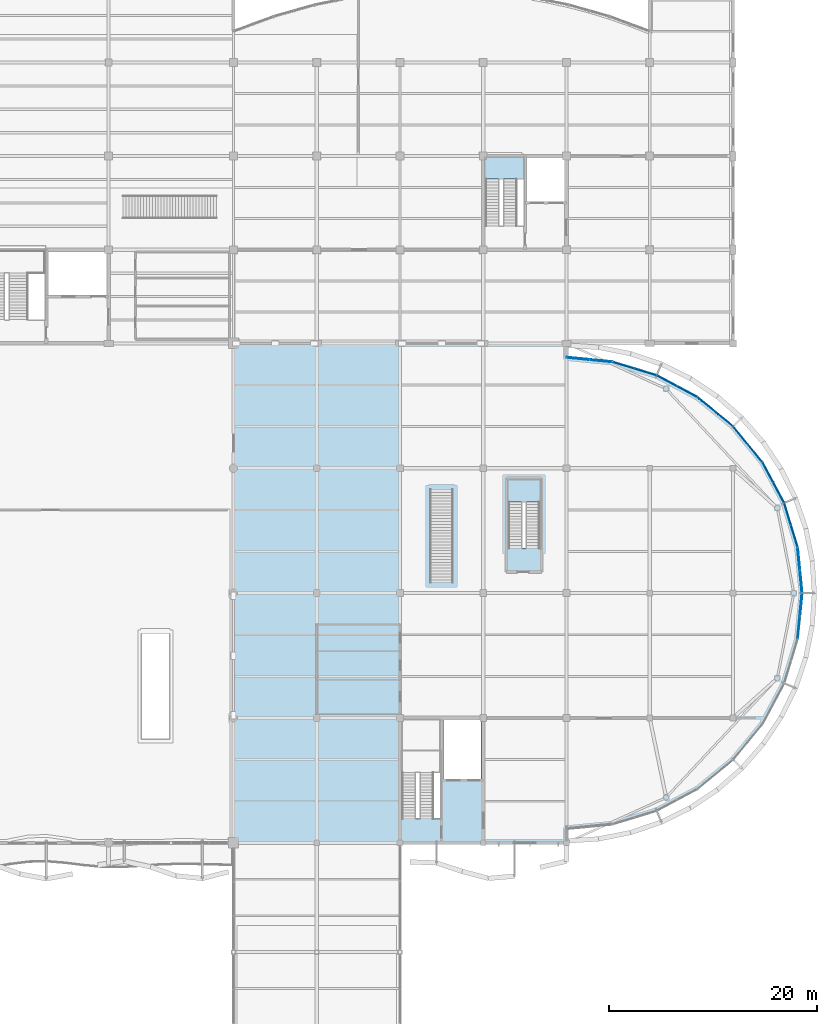
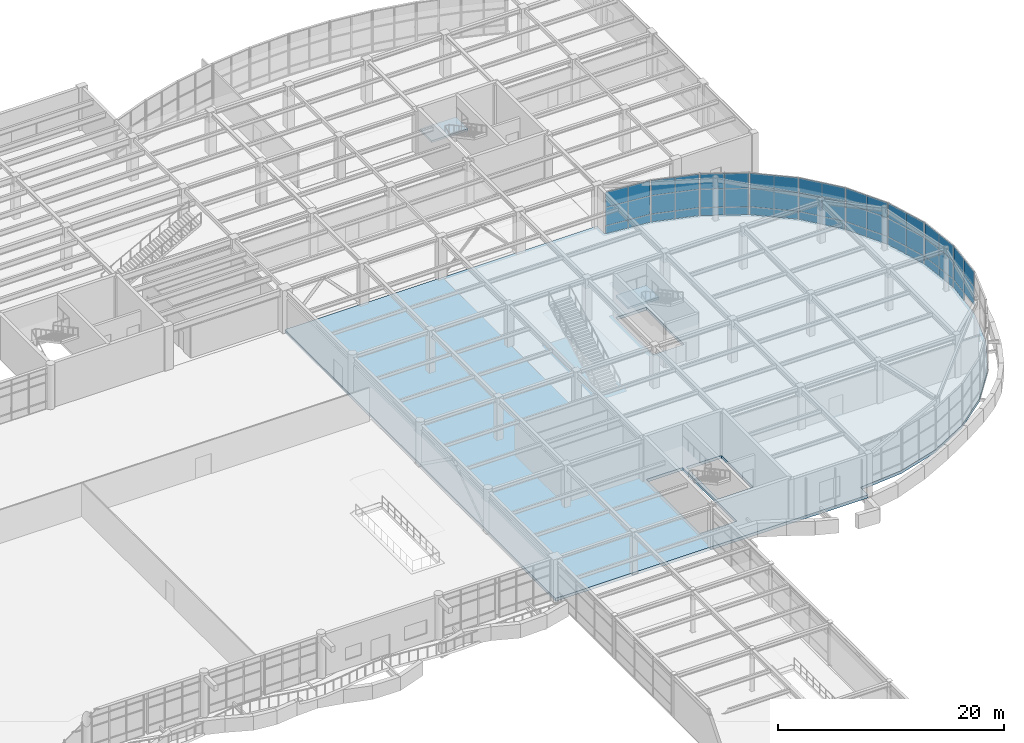
# One storey, part 42 of 72: 53 plates, 3 slabs, 11 elements without a shape of their own.
"""IFC4 building model written with IfcOpenShell, lengths in metres."""

from ifc_helpers import new_model, si_unit, direction, frame, origin, origin_2d, place, context, subcontext, project, spatial, polyline, rectangle, outline, extrude, material, layer, layer_set, type_object, element, aggregate, save


model = new_model("IFC4")

# Units and contexts
model_context = context("Model", 3, precision=1e-05, world=origin(), true_north=direction((0.0, 1.0)))
body_context = subcontext(model_context, "Body", "Model", "MODEL_VIEW")
ifc_project = project(units=[si_unit("LENGTHUNIT", "METRE"), si_unit("AREAUNIT", "SQUARE_METRE"), si_unit("VOLUMEUNIT", "CUBIC_METRE"), si_unit("PLANEANGLEUNIT", "RADIAN"), si_unit("MASSUNIT", "GRAM", prefix="KILO")], contexts=[model_context])

# Site, building, storey
site_placement = place(None, origin())
site = spatial("IfcSite", under=ifc_project, at=site_placement, CompositionType="ELEMENT")
building_placement = place(site_placement, origin())
building = spatial("IfcBuilding", under=site, at=building_placement, Name="Keelwater Ferry Terminal", CompositionType="ELEMENT")
storey_placement = place(building_placement, frame((0.0, 0.0, 5.39990234375)))
storey = spatial("IfcBuildingStorey", under=building, at=storey_placement, Name="L01", CompositionType="ELEMENT", Elevation=5.39990234375)

# Curtain wall, plate
ifc_material_1 = material(Name="Thermally broken unitised aluminium and triple glass", Category="aluminium")
ifc_layer_1 = layer(ifc_material_1, 0.179931640625)
ifc_layer_set_1 = layer_set([ifc_layer_1], Name="Thermally broken unitised aluminium and triple glass")
curtain_wall_type = type_object("IfcCurtainWallType", Name="CW-19 Unitised Curtain Wall 4350x4480", PredefinedType="USERDEFINED", material=ifc_layer_set_1)
curtain_wall_1_placement = place(storey_placement, origin())
curtain_wall_1 = element("IfcCurtainWall", 1, at=curtain_wall_1_placement, inside=storey, type_object=curtain_wall_type, Name="Unitised Curtain Wall CW-L01-132", ObjectType="UNITISED CURTAIN WALL", PredefinedType="USERDEFINED")
ifc_material_2 = material(Name="Insulated white cassette spandrel", Category="aluminium")
ifc_layer_2 = layer(ifc_material_2, 0.094970703125)
ifc_layer_set_2 = layer_set([ifc_layer_2], Name="Insulated white cassette spandrel")
plate_type_1 = type_object("IfcPlateType", Name="CWP-S2 Insulated Spandrel Panel 95", PredefinedType="CURTAIN_PANEL", material=ifc_layer_set_2)
plate_1_placement = place(storey_placement, frame((186.539306640625, 64.872802734375, 0.0), z_axis=(0.0, 0.0, 1.0), x_axis=(0.098160737969, 0.995170573079, 0.0)))
plate_1 = element("IfcPlate", 2, at=plate_1_placement, type_object=plate_type_1, Name="CW-L01-132 Panel 2.1", PredefinedType="CURTAIN_PANEL", context=body_context, shape_type="SweptSolid", body=[
    extrude(rectangle(XDim=2.175048828125, YDim=0.094970703125, at=origin_2d()), origin(), (0.0, 0.0, 1.0), 0.85009765625),
])

# Curtain wall, plates
curtain_wall_2_placement = place(storey_placement, origin())
curtain_wall_2 = element("IfcCurtainWall", 3, at=curtain_wall_2_placement, inside=storey, type_object=curtain_wall_type, Name="Unitised Curtain Wall CW-L01-133", ObjectType="UNITISED CURTAIN WALL", PredefinedType="USERDEFINED")
plate_2_placement = place(storey_placement, frame((186.539306640625, 67.127197265625, 0.0), z_axis=(0.0, 0.0, 1.0), x_axis=(-0.098160737969, 0.995170573079, 0.0)))
plate_2 = element("IfcPlate", 4, at=plate_2_placement, type_object=plate_type_1, Name="CW-L01-133 Panel 1.1", PredefinedType="CURTAIN_PANEL", context=body_context, shape_type="SweptSolid", body=[
    extrude(rectangle(XDim=2.175048828125, YDim=0.094970703125, at=origin_2d()), origin(), (0.0, 0.0, 1.0), 0.85009765625),
])
plate_3_placement = place(storey_placement, frame((186.32568359375, 69.291748046875, 0.0), z_axis=(0.0, 0.0, 1.0), x_axis=(-0.098160737969, 0.995170573079, 0.0)))
plate_3 = element("IfcPlate", 5, at=plate_3_placement, type_object=plate_type_1, Name="CW-L01-133 Panel 2.1", PredefinedType="CURTAIN_PANEL", context=body_context, shape_type="SweptSolid", body=[
    extrude(rectangle(XDim=2.175048828125, YDim=0.094970703125, at=origin_2d()), origin(), (0.0, 0.0, 1.0), 0.85009765625),
])

curtain_wall_3_placement = place(storey_placement, origin())
curtain_wall_3 = element("IfcCurtainWall", 6, at=curtain_wall_3_placement, inside=storey, type_object=curtain_wall_type, Name="Unitised Curtain Wall CW-L01-134", ObjectType="UNITISED CURTAIN WALL", PredefinedType="USERDEFINED")
plate_4_placement = place(storey_placement, frame((185.88623046875, 71.502685546875, 0.0), z_axis=(0.0, 0.0, 1.0), x_axis=(-0.290319989003, 0.956929623319, 0.0)))
plate_4 = element("IfcPlate", 7, at=plate_4_placement, type_object=plate_type_1, Name="CW-L01-134 Panel 1.1", PredefinedType="CURTAIN_PANEL", context=body_context, shape_type="SweptSolid", body=[
    extrude(rectangle(XDim=2.17529296875, YDim=0.094970703125, at=origin_2d()), origin(), (0.0, 0.0, 1.0), 0.85009765625),
])
plate_5_placement = place(storey_placement, frame((185.254638671875, 73.584228515625, 0.0), z_axis=(0.0, 0.0, 1.0), x_axis=(-0.290319989003, 0.956929623319, 0.0)))
plate_5 = element("IfcPlate", 8, at=plate_5_placement, type_object=plate_type_1, Name="CW-L01-134 Panel 2.1", PredefinedType="CURTAIN_PANEL", context=body_context, shape_type="SweptSolid", body=[
    extrude(rectangle(XDim=2.17529296875, YDim=0.094970703125, at=origin_2d()), origin(), (0.0, 0.0, 1.0), 0.85009765625),
])

curtain_wall_4_placement = place(storey_placement, origin())
curtain_wall_4 = element("IfcCurtainWall", 9, at=curtain_wall_4_placement, inside=storey, type_object=curtain_wall_type, Name="Unitised Curtain Wall CW-L01-135", ObjectType="UNITISED CURTAIN WALL", PredefinedType="USERDEFINED")
plate_6_placement = place(storey_placement, frame((184.392333984375, 75.6669921875, 0.0), z_axis=(0.0, 0.0, 1.0), x_axis=(-0.471506749303, 0.881862452632, 0.0)))
plate_6 = element("IfcPlate", 10, at=plate_6_placement, type_object=plate_type_1, Name="CW-L01-135 Panel 1.1", PredefinedType="CURTAIN_PANEL", context=body_context, shape_type="SweptSolid", body=[
    extrude(rectangle(XDim=2.175048828125, YDim=0.094970703125, at=origin_2d()), origin(), (0.0, 0.0, 1.0), 0.85009765625),
])
plate_7_placement = place(storey_placement, frame((183.36669921875, 77.5849609375, 0.0), z_axis=(0.0, 0.0, 1.0), x_axis=(-0.471506749303, 0.881862452632, 0.0)))
plate_7 = element("IfcPlate", 11, at=plate_7_placement, type_object=plate_type_1, Name="CW-L01-135 Panel 2.1", PredefinedType="CURTAIN_PANEL", context=body_context, shape_type="SweptSolid", body=[
    extrude(rectangle(XDim=2.175048828125, YDim=0.094970703125, at=origin_2d()), origin(), (0.0, 0.0, 1.0), 0.85009765625),
])

curtain_wall_5_placement = place(storey_placement, origin())
curtain_wall_5 = element("IfcCurtainWall", 12, at=curtain_wall_5_placement, inside=storey, type_object=curtain_wall_type, Name="Unitised Curtain Wall CW-L01-136", ObjectType="UNITISED CURTAIN WALL", PredefinedType="USERDEFINED")
plate_8_placement = place(storey_placement, frame((182.1142578125, 79.45947265625, 0.0), z_axis=(0.0, 0.0, 1.0), x_axis=(-0.634376508991, 0.773024220086, 0.0)))
plate_8 = element("IfcPlate", 13, at=plate_8_placement, type_object=plate_type_1, Name="CW-L01-136 Panel 1.1", PredefinedType="CURTAIN_PANEL", context=body_context, shape_type="SweptSolid", body=[
    extrude(rectangle(XDim=2.174560546875, YDim=0.094970703125, at=origin_2d()), origin(), (0.0, 0.0, 1.0), 0.85009765625),
])
plate_9_placement = place(storey_placement, frame((180.73486328125, 81.140380859375, 0.0), z_axis=(0.0, 0.0, 1.0), x_axis=(-0.634376508991, 0.773024220086, 0.0)))
plate_9 = element("IfcPlate", 14, at=plate_9_placement, type_object=plate_type_1, Name="CW-L01-136 Panel 2.1", PredefinedType="CURTAIN_PANEL", context=body_context, shape_type="SweptSolid", body=[
    extrude(rectangle(XDim=2.174560546875, YDim=0.094970703125, at=origin_2d()), origin(), (0.0, 0.0, 1.0), 0.85009765625),
])

curtain_wall_6_placement = place(storey_placement, origin())
curtain_wall_6 = element("IfcCurtainWall", 15, at=curtain_wall_6_placement, inside=storey, type_object=curtain_wall_type, Name="Unitised Curtain Wall CW-L01-137", ObjectType="UNITISED CURTAIN WALL", PredefinedType="USERDEFINED")
plate_10_placement = place(storey_placement, frame((179.140380859375, 82.73486328125, 0.0), z_axis=(0.0, 0.0, 1.0), x_axis=(-0.773024220086, 0.634376508991, 0.0)))
plate_10 = element("IfcPlate", 16, at=plate_10_placement, type_object=plate_type_1, Name="CW-L01-137 Panel 1.1", PredefinedType="CURTAIN_PANEL", context=body_context, shape_type="SweptSolid", body=[
    extrude(rectangle(XDim=2.174560546875, YDim=0.094970703125, at=origin_2d()), origin(), (0.0, 0.0, 1.0), 0.85009765625),
])
plate_11_placement = place(storey_placement, frame((177.45947265625, 84.1142578125, 0.0), z_axis=(0.0, 0.0, 1.0), x_axis=(-0.773024220086, 0.634376508991, 0.0)))
plate_11 = element("IfcPlate", 17, at=plate_11_placement, type_object=plate_type_1, Name="CW-L01-137 Panel 2.1", PredefinedType="CURTAIN_PANEL", context=body_context, shape_type="SweptSolid", body=[
    extrude(rectangle(XDim=2.174560546875, YDim=0.094970703125, at=origin_2d()), origin(), (0.0, 0.0, 1.0), 0.85009765625),
])

curtain_wall_7_placement = place(storey_placement, origin())
curtain_wall_7 = element("IfcCurtainWall", 18, at=curtain_wall_7_placement, inside=storey, type_object=curtain_wall_type, Name="Unitised Curtain Wall CW-L01-138", ObjectType="UNITISED CURTAIN WALL", PredefinedType="USERDEFINED")
plate_12_placement = place(storey_placement, frame((175.5849609375, 85.36669921875, 0.0), z_axis=(0.0, 0.0, 1.0), x_axis=(-0.881862452632, 0.471506749303, 0.0)))
plate_12 = element("IfcPlate", 19, at=plate_12_placement, type_object=plate_type_1, Name="CW-L01-138 Panel 1.1", PredefinedType="CURTAIN_PANEL", context=body_context, shape_type="SweptSolid", body=[
    extrude(rectangle(XDim=2.175048828125, YDim=0.094970703125, at=origin_2d()), origin(), (0.0, 0.0, 1.0), 0.85009765625),
])
plate_13_placement = place(storey_placement, frame((173.6669921875, 86.392333984375, 0.0), z_axis=(0.0, 0.0, 1.0), x_axis=(-0.881862452632, 0.471506749303, 0.0)))
plate_13 = element("IfcPlate", 20, at=plate_13_placement, type_object=plate_type_1, Name="CW-L01-138 Panel 2.1", PredefinedType="CURTAIN_PANEL", context=body_context, shape_type="SweptSolid", body=[
    extrude(rectangle(XDim=2.175048828125, YDim=0.094970703125, at=origin_2d()), origin(), (0.0, 0.0, 1.0), 0.85009765625),
])

curtain_wall_8_placement = place(storey_placement, origin())
curtain_wall_8 = element("IfcCurtainWall", 21, at=curtain_wall_8_placement, inside=storey, type_object=curtain_wall_type, Name="Unitised Curtain Wall CW-L01-139", ObjectType="UNITISED CURTAIN WALL", PredefinedType="USERDEFINED")
plate_14_placement = place(storey_placement, frame((171.584228515625, 87.254638671875, 0.0), z_axis=(0.0, 0.0, 1.0), x_axis=(-0.956929623319, 0.290319989003, 0.0)))
plate_14 = element("IfcPlate", 22, at=plate_14_placement, type_object=plate_type_1, Name="CW-L01-139 Panel 1.1", PredefinedType="CURTAIN_PANEL", context=body_context, shape_type="SweptSolid", body=[
    extrude(rectangle(XDim=2.17529296875, YDim=0.094970703125, at=origin_2d()), origin(), (0.0, 0.0, 1.0), 0.85009765625),
])
plate_15_placement = place(storey_placement, frame((169.502685546875, 87.88623046875, 0.0), z_axis=(0.0, 0.0, 1.0), x_axis=(-0.956929623319, 0.290319989003, 0.0)))
plate_15 = element("IfcPlate", 23, at=plate_15_placement, type_object=plate_type_1, Name="CW-L01-139 Panel 2.1", PredefinedType="CURTAIN_PANEL", context=body_context, shape_type="SweptSolid", body=[
    extrude(rectangle(XDim=2.17529296875, YDim=0.094970703125, at=origin_2d()), origin(), (0.0, 0.0, 1.0), 0.85009765625),
])

curtain_wall_9_placement = place(storey_placement, origin())
curtain_wall_9 = element("IfcCurtainWall", 24, at=curtain_wall_9_placement, inside=storey, type_object=curtain_wall_type, Name="Unitised Curtain Wall CW-L01-140", ObjectType="UNITISED CURTAIN WALL", PredefinedType="USERDEFINED")
plate_16_placement = place(storey_placement, frame((167.291748046875, 88.32568359375, 0.0), z_axis=(0.0, 0.0, 1.0), x_axis=(-0.995170573079, 0.098160737969, 0.0)))
plate_16 = element("IfcPlate", 25, at=plate_16_placement, type_object=plate_type_1, Name="CW-L01-140 Panel 1.1", PredefinedType="CURTAIN_PANEL", context=body_context, shape_type="SweptSolid", body=[
    extrude(rectangle(XDim=2.175048828125, YDim=0.094970703125, at=origin_2d()), origin(), (0.0, 0.0, 1.0), 0.85009765625),
])
plate_17_placement = place(storey_placement, frame((165.127197265625, 88.539306640625, 0.0), z_axis=(0.0, 0.0, 1.0), x_axis=(-0.995170573079, 0.098160737969, 0.0)))
plate_17 = element("IfcPlate", 26, at=plate_17_placement, type_object=plate_type_1, Name="CW-L01-140 Panel 2.1", PredefinedType="CURTAIN_PANEL", context=body_context, shape_type="SweptSolid", body=[
    extrude(rectangle(XDim=2.175048828125, YDim=0.094970703125, at=origin_2d()), origin(), (0.0, 0.0, 1.0), 0.85009765625),
])

# Plate
ifc_material_3 = material(Name="Triple solar-control glass", Category="glass")
ifc_layer_3 = layer(ifc_material_3, 0.0419921875)
ifc_layer_set_3 = layer_set([ifc_layer_3], Name="Triple solar-control glass")
plate_type_2 = type_object("IfcPlateType", Name="CWP-V2 Glazed Vision Panel 42", PredefinedType="CURTAIN_PANEL", material=ifc_layer_set_3)
plate_18_placement = place(storey_placement, frame((186.32568359375, 62.708251953125, 0.85009765625), z_axis=(0.0, 0.0, 1.0), x_axis=(0.098160737969, 0.995170573079, 0.0)))
plate_18 = element("IfcPlate", 27, at=plate_18_placement, type_object=plate_type_2, Name="CW-L01-132 Panel 1.2", PredefinedType="CURTAIN_PANEL", context=body_context, shape_type="SweptSolid", body=[
    extrude(rectangle(XDim=2.175048828125, YDim=0.0419921875, at=origin_2d()), origin(), (0.0, 0.0, 1.0), 2.0),
])

plate_19_placement = place(storey_placement, frame((186.32568359375, 62.708251953125, 2.85009765625), z_axis=(0.0, 0.0, 1.0), x_axis=(0.098160737969, 0.995170573079, 0.0)))
plate_19 = element("IfcPlate", 28, at=plate_19_placement, type_object=plate_type_2, Name="CW-L01-132 Panel 1.3", PredefinedType="CURTAIN_PANEL", context=body_context, shape_type="SweptSolid", body=[
    extrude(rectangle(XDim=2.175048828125, YDim=0.0419921875, at=origin_2d()), origin(), (0.0, 0.0, 1.0), 1.6298828125),
])

plate_20_placement = place(storey_placement, frame((186.539306640625, 64.872802734375, 0.85009765625), z_axis=(0.0, 0.0, 1.0), x_axis=(0.098160737969, 0.995170573079, 0.0)))
plate_20 = element("IfcPlate", 29, at=plate_20_placement, type_object=plate_type_2, Name="CW-L01-132 Panel 2.2", PredefinedType="CURTAIN_PANEL", context=body_context, shape_type="SweptSolid", body=[
    extrude(rectangle(XDim=2.175048828125, YDim=0.0419921875, at=origin_2d()), origin(), (0.0, 0.0, 1.0), 2.0),
])

plate_21_placement = place(storey_placement, frame((186.539306640625, 64.872802734375, 2.85009765625), z_axis=(0.0, 0.0, 1.0), x_axis=(0.098160737969, 0.995170573079, 0.0)))
plate_21 = element("IfcPlate", 30, at=plate_21_placement, type_object=plate_type_2, Name="CW-L01-132 Panel 2.3", PredefinedType="CURTAIN_PANEL", context=body_context, shape_type="SweptSolid", body=[
    extrude(rectangle(XDim=2.175048828125, YDim=0.0419921875, at=origin_2d()), origin(), (0.0, 0.0, 1.0), 1.6298828125),
])

aggregate(curtain_wall_1, [plate_18, plate_19, plate_1, plate_20, plate_21])

plate_22_placement = place(storey_placement, frame((186.539306640625, 67.127197265625, 0.85009765625), z_axis=(0.0, 0.0, 1.0), x_axis=(-0.098160737969, 0.995170573079, 0.0)))
plate_22 = element("IfcPlate", 31, at=plate_22_placement, type_object=plate_type_2, Name="CW-L01-133 Panel 1.2", PredefinedType="CURTAIN_PANEL", context=body_context, shape_type="SweptSolid", body=[
    extrude(rectangle(XDim=2.175048828125, YDim=0.0419921875, at=origin_2d()), origin(), (0.0, 0.0, 1.0), 2.0),
])

plate_23_placement = place(storey_placement, frame((186.539306640625, 67.127197265625, 2.85009765625), z_axis=(0.0, 0.0, 1.0), x_axis=(-0.098160737969, 0.995170573079, 0.0)))
plate_23 = element("IfcPlate", 32, at=plate_23_placement, type_object=plate_type_2, Name="CW-L01-133 Panel 1.3", PredefinedType="CURTAIN_PANEL", context=body_context, shape_type="SweptSolid", body=[
    extrude(rectangle(XDim=2.175048828125, YDim=0.0419921875, at=origin_2d()), origin(), (0.0, 0.0, 1.0), 1.6298828125),
])

plate_24_placement = place(storey_placement, frame((186.32568359375, 69.291748046875, 0.85009765625), z_axis=(0.0, 0.0, 1.0), x_axis=(-0.098160737969, 0.995170573079, 0.0)))
plate_24 = element("IfcPlate", 33, at=plate_24_placement, type_object=plate_type_2, Name="CW-L01-133 Panel 2.2", PredefinedType="CURTAIN_PANEL", context=body_context, shape_type="SweptSolid", body=[
    extrude(rectangle(XDim=2.175048828125, YDim=0.0419921875, at=origin_2d()), origin(), (0.0, 0.0, 1.0), 2.0),
])

plate_25_placement = place(storey_placement, frame((186.32568359375, 69.291748046875, 2.85009765625), z_axis=(0.0, 0.0, 1.0), x_axis=(-0.098160737969, 0.995170573079, 0.0)))
plate_25 = element("IfcPlate", 34, at=plate_25_placement, type_object=plate_type_2, Name="CW-L01-133 Panel 2.3", PredefinedType="CURTAIN_PANEL", context=body_context, shape_type="SweptSolid", body=[
    extrude(rectangle(XDim=2.175048828125, YDim=0.0419921875, at=origin_2d()), origin(), (0.0, 0.0, 1.0), 1.6298828125),
])

aggregate(curtain_wall_2, [plate_2, plate_22, plate_23, plate_3, plate_24, plate_25])

plate_26_placement = place(storey_placement, frame((185.88623046875, 71.502685546875, 0.85009765625), z_axis=(0.0, 0.0, 1.0), x_axis=(-0.290319989003, 0.956929623319, 0.0)))
plate_26 = element("IfcPlate", 35, at=plate_26_placement, type_object=plate_type_2, Name="CW-L01-134 Panel 1.2", PredefinedType="CURTAIN_PANEL", context=body_context, shape_type="SweptSolid", body=[
    extrude(rectangle(XDim=2.17529296875, YDim=0.0419921875, at=origin_2d()), origin(), (0.0, 0.0, 1.0), 2.0),
])

plate_27_placement = place(storey_placement, frame((185.88623046875, 71.502685546875, 2.85009765625), z_axis=(0.0, 0.0, 1.0), x_axis=(-0.290319989003, 0.956929623319, 0.0)))
plate_27 = element("IfcPlate", 36, at=plate_27_placement, type_object=plate_type_2, Name="CW-L01-134 Panel 1.3", PredefinedType="CURTAIN_PANEL", context=body_context, shape_type="SweptSolid", body=[
    extrude(rectangle(XDim=2.17529296875, YDim=0.0419921875, at=origin_2d()), origin(), (0.0, 0.0, 1.0), 1.6298828125),
])

plate_28_placement = place(storey_placement, frame((185.254638671875, 73.584228515625, 0.85009765625), z_axis=(0.0, 0.0, 1.0), x_axis=(-0.290319989003, 0.956929623319, 0.0)))
plate_28 = element("IfcPlate", 37, at=plate_28_placement, type_object=plate_type_2, Name="CW-L01-134 Panel 2.2", PredefinedType="CURTAIN_PANEL", context=body_context, shape_type="SweptSolid", body=[
    extrude(rectangle(XDim=2.17529296875, YDim=0.0419921875, at=origin_2d()), origin(), (0.0, 0.0, 1.0), 2.0),
])

plate_29_placement = place(storey_placement, frame((185.254638671875, 73.584228515625, 2.85009765625), z_axis=(0.0, 0.0, 1.0), x_axis=(-0.290319989003, 0.956929623319, 0.0)))
plate_29 = element("IfcPlate", 38, at=plate_29_placement, type_object=plate_type_2, Name="CW-L01-134 Panel 2.3", PredefinedType="CURTAIN_PANEL", context=body_context, shape_type="SweptSolid", body=[
    extrude(rectangle(XDim=2.17529296875, YDim=0.0419921875, at=origin_2d()), origin(), (0.0, 0.0, 1.0), 1.6298828125),
])

aggregate(curtain_wall_3, [plate_4, plate_26, plate_27, plate_5, plate_28, plate_29])

plate_30_placement = place(storey_placement, frame((184.392333984375, 75.6669921875, 0.85009765625), z_axis=(0.0, 0.0, 1.0), x_axis=(-0.471506749303, 0.881862452632, 0.0)))
plate_30 = element("IfcPlate", 39, at=plate_30_placement, type_object=plate_type_2, Name="CW-L01-135 Panel 1.2", PredefinedType="CURTAIN_PANEL", context=body_context, shape_type="SweptSolid", body=[
    extrude(rectangle(XDim=2.175048828125, YDim=0.0419921875, at=origin_2d()), origin(), (0.0, 0.0, 1.0), 2.0),
])

plate_31_placement = place(storey_placement, frame((184.392333984375, 75.6669921875, 2.85009765625), z_axis=(0.0, 0.0, 1.0), x_axis=(-0.471506749303, 0.881862452632, 0.0)))
plate_31 = element("IfcPlate", 40, at=plate_31_placement, type_object=plate_type_2, Name="CW-L01-135 Panel 1.3", PredefinedType="CURTAIN_PANEL", context=body_context, shape_type="SweptSolid", body=[
    extrude(rectangle(XDim=2.175048828125, YDim=0.0419921875, at=origin_2d()), origin(), (0.0, 0.0, 1.0), 1.6298828125),
])

plate_32_placement = place(storey_placement, frame((183.36669921875, 77.5849609375, 0.85009765625), z_axis=(0.0, 0.0, 1.0), x_axis=(-0.471506749303, 0.881862452632, 0.0)))
plate_32 = element("IfcPlate", 41, at=plate_32_placement, type_object=plate_type_2, Name="CW-L01-135 Panel 2.2", PredefinedType="CURTAIN_PANEL", context=body_context, shape_type="SweptSolid", body=[
    extrude(rectangle(XDim=2.175048828125, YDim=0.0419921875, at=origin_2d()), origin(), (0.0, 0.0, 1.0), 2.0),
])

plate_33_placement = place(storey_placement, frame((183.36669921875, 77.5849609375, 2.85009765625), z_axis=(0.0, 0.0, 1.0), x_axis=(-0.471506749303, 0.881862452632, 0.0)))
plate_33 = element("IfcPlate", 42, at=plate_33_placement, type_object=plate_type_2, Name="CW-L01-135 Panel 2.3", PredefinedType="CURTAIN_PANEL", context=body_context, shape_type="SweptSolid", body=[
    extrude(rectangle(XDim=2.175048828125, YDim=0.0419921875, at=origin_2d()), origin(), (0.0, 0.0, 1.0), 1.6298828125),
])

aggregate(curtain_wall_4, [plate_6, plate_30, plate_31, plate_7, plate_32, plate_33])

plate_34_placement = place(storey_placement, frame((182.1142578125, 79.45947265625, 0.85009765625), z_axis=(0.0, 0.0, 1.0), x_axis=(-0.634376508991, 0.773024220086, 0.0)))
plate_34 = element("IfcPlate", 43, at=plate_34_placement, type_object=plate_type_2, Name="CW-L01-136 Panel 1.2", PredefinedType="CURTAIN_PANEL", context=body_context, shape_type="SweptSolid", body=[
    extrude(rectangle(XDim=2.174560546875, YDim=0.0419921875, at=origin_2d()), origin(), (0.0, 0.0, 1.0), 2.0),
])

plate_35_placement = place(storey_placement, frame((182.1142578125, 79.45947265625, 2.85009765625), z_axis=(0.0, 0.0, 1.0), x_axis=(-0.634376508991, 0.773024220086, 0.0)))
plate_35 = element("IfcPlate", 44, at=plate_35_placement, type_object=plate_type_2, Name="CW-L01-136 Panel 1.3", PredefinedType="CURTAIN_PANEL", context=body_context, shape_type="SweptSolid", body=[
    extrude(rectangle(XDim=2.174560546875, YDim=0.0419921875, at=origin_2d()), origin(), (0.0, 0.0, 1.0), 1.6298828125),
])

plate_36_placement = place(storey_placement, frame((180.73486328125, 81.140380859375, 0.85009765625), z_axis=(0.0, 0.0, 1.0), x_axis=(-0.634376508991, 0.773024220086, 0.0)))
plate_36 = element("IfcPlate", 45, at=plate_36_placement, type_object=plate_type_2, Name="CW-L01-136 Panel 2.2", PredefinedType="CURTAIN_PANEL", context=body_context, shape_type="SweptSolid", body=[
    extrude(rectangle(XDim=2.174560546875, YDim=0.0419921875, at=origin_2d()), origin(), (0.0, 0.0, 1.0), 2.0),
])

plate_37_placement = place(storey_placement, frame((180.73486328125, 81.140380859375, 2.85009765625), z_axis=(0.0, 0.0, 1.0), x_axis=(-0.634376508991, 0.773024220086, 0.0)))
plate_37 = element("IfcPlate", 46, at=plate_37_placement, type_object=plate_type_2, Name="CW-L01-136 Panel 2.3", PredefinedType="CURTAIN_PANEL", context=body_context, shape_type="SweptSolid", body=[
    extrude(rectangle(XDim=2.174560546875, YDim=0.0419921875, at=origin_2d()), origin(), (0.0, 0.0, 1.0), 1.6298828125),
])

aggregate(curtain_wall_5, [plate_8, plate_34, plate_35, plate_9, plate_36, plate_37])

plate_38_placement = place(storey_placement, frame((179.140380859375, 82.73486328125, 0.85009765625), z_axis=(0.0, 0.0, 1.0), x_axis=(-0.773024220086, 0.634376508991, 0.0)))
plate_38 = element("IfcPlate", 47, at=plate_38_placement, type_object=plate_type_2, Name="CW-L01-137 Panel 1.2", PredefinedType="CURTAIN_PANEL", context=body_context, shape_type="SweptSolid", body=[
    extrude(rectangle(XDim=2.174560546875, YDim=0.0419921875, at=origin_2d()), origin(), (0.0, 0.0, 1.0), 2.0),
])

plate_39_placement = place(storey_placement, frame((179.140380859375, 82.73486328125, 2.85009765625), z_axis=(0.0, 0.0, 1.0), x_axis=(-0.773024220086, 0.634376508991, 0.0)))
plate_39 = element("IfcPlate", 48, at=plate_39_placement, type_object=plate_type_2, Name="CW-L01-137 Panel 1.3", PredefinedType="CURTAIN_PANEL", context=body_context, shape_type="SweptSolid", body=[
    extrude(rectangle(XDim=2.174560546875, YDim=0.0419921875, at=origin_2d()), origin(), (0.0, 0.0, 1.0), 1.6298828125),
])

plate_40_placement = place(storey_placement, frame((177.45947265625, 84.1142578125, 0.85009765625), z_axis=(0.0, 0.0, 1.0), x_axis=(-0.773024220086, 0.634376508991, 0.0)))
plate_40 = element("IfcPlate", 49, at=plate_40_placement, type_object=plate_type_2, Name="CW-L01-137 Panel 2.2", PredefinedType="CURTAIN_PANEL", context=body_context, shape_type="SweptSolid", body=[
    extrude(rectangle(XDim=2.174560546875, YDim=0.0419921875, at=origin_2d()), origin(), (0.0, 0.0, 1.0), 2.0),
])

plate_41_placement = place(storey_placement, frame((177.45947265625, 84.1142578125, 2.85009765625), z_axis=(0.0, 0.0, 1.0), x_axis=(-0.773024220086, 0.634376508991, 0.0)))
plate_41 = element("IfcPlate", 50, at=plate_41_placement, type_object=plate_type_2, Name="CW-L01-137 Panel 2.3", PredefinedType="CURTAIN_PANEL", context=body_context, shape_type="SweptSolid", body=[
    extrude(rectangle(XDim=2.174560546875, YDim=0.0419921875, at=origin_2d()), origin(), (0.0, 0.0, 1.0), 1.6298828125),
])

aggregate(curtain_wall_6, [plate_10, plate_38, plate_39, plate_11, plate_40, plate_41])

plate_42_placement = place(storey_placement, frame((175.5849609375, 85.36669921875, 0.85009765625), z_axis=(0.0, 0.0, 1.0), x_axis=(-0.881862452632, 0.471506749303, 0.0)))
plate_42 = element("IfcPlate", 51, at=plate_42_placement, type_object=plate_type_2, Name="CW-L01-138 Panel 1.2", PredefinedType="CURTAIN_PANEL", context=body_context, shape_type="SweptSolid", body=[
    extrude(rectangle(XDim=2.175048828125, YDim=0.0419921875, at=origin_2d()), origin(), (0.0, 0.0, 1.0), 2.0),
])

plate_43_placement = place(storey_placement, frame((175.5849609375, 85.36669921875, 2.85009765625), z_axis=(0.0, 0.0, 1.0), x_axis=(-0.881862452632, 0.471506749303, 0.0)))
plate_43 = element("IfcPlate", 52, at=plate_43_placement, type_object=plate_type_2, Name="CW-L01-138 Panel 1.3", PredefinedType="CURTAIN_PANEL", context=body_context, shape_type="SweptSolid", body=[
    extrude(rectangle(XDim=2.175048828125, YDim=0.0419921875, at=origin_2d()), origin(), (0.0, 0.0, 1.0), 1.6298828125),
])

plate_44_placement = place(storey_placement, frame((173.6669921875, 86.392333984375, 0.85009765625), z_axis=(0.0, 0.0, 1.0), x_axis=(-0.881862452632, 0.471506749303, 0.0)))
plate_44 = element("IfcPlate", 53, at=plate_44_placement, type_object=plate_type_2, Name="CW-L01-138 Panel 2.2", PredefinedType="CURTAIN_PANEL", context=body_context, shape_type="SweptSolid", body=[
    extrude(rectangle(XDim=2.175048828125, YDim=0.0419921875, at=origin_2d()), origin(), (0.0, 0.0, 1.0), 2.0),
])

plate_45_placement = place(storey_placement, frame((173.6669921875, 86.392333984375, 2.85009765625), z_axis=(0.0, 0.0, 1.0), x_axis=(-0.881862452632, 0.471506749303, 0.0)))
plate_45 = element("IfcPlate", 54, at=plate_45_placement, type_object=plate_type_2, Name="CW-L01-138 Panel 2.3", PredefinedType="CURTAIN_PANEL", context=body_context, shape_type="SweptSolid", body=[
    extrude(rectangle(XDim=2.175048828125, YDim=0.0419921875, at=origin_2d()), origin(), (0.0, 0.0, 1.0), 1.6298828125),
])

aggregate(curtain_wall_7, [plate_12, plate_42, plate_43, plate_13, plate_44, plate_45])

plate_46_placement = place(storey_placement, frame((171.584228515625, 87.254638671875, 0.85009765625), z_axis=(0.0, 0.0, 1.0), x_axis=(-0.956929623319, 0.290319989003, 0.0)))
plate_46 = element("IfcPlate", 55, at=plate_46_placement, type_object=plate_type_2, Name="CW-L01-139 Panel 1.2", PredefinedType="CURTAIN_PANEL", context=body_context, shape_type="SweptSolid", body=[
    extrude(rectangle(XDim=2.17529296875, YDim=0.0419921875, at=origin_2d()), origin(), (0.0, 0.0, 1.0), 2.0),
])

plate_47_placement = place(storey_placement, frame((171.584228515625, 87.254638671875, 2.85009765625), z_axis=(0.0, 0.0, 1.0), x_axis=(-0.956929623319, 0.290319989003, 0.0)))
plate_47 = element("IfcPlate", 56, at=plate_47_placement, type_object=plate_type_2, Name="CW-L01-139 Panel 1.3", PredefinedType="CURTAIN_PANEL", context=body_context, shape_type="SweptSolid", body=[
    extrude(rectangle(XDim=2.17529296875, YDim=0.0419921875, at=origin_2d()), origin(), (0.0, 0.0, 1.0), 1.6298828125),
])

plate_48_placement = place(storey_placement, frame((169.502685546875, 87.88623046875, 0.85009765625), z_axis=(0.0, 0.0, 1.0), x_axis=(-0.956929623319, 0.290319989003, 0.0)))
plate_48 = element("IfcPlate", 57, at=plate_48_placement, type_object=plate_type_2, Name="CW-L01-139 Panel 2.2", PredefinedType="CURTAIN_PANEL", context=body_context, shape_type="SweptSolid", body=[
    extrude(rectangle(XDim=2.17529296875, YDim=0.0419921875, at=origin_2d()), origin(), (0.0, 0.0, 1.0), 2.0),
])

plate_49_placement = place(storey_placement, frame((169.502685546875, 87.88623046875, 2.85009765625), z_axis=(0.0, 0.0, 1.0), x_axis=(-0.956929623319, 0.290319989003, 0.0)))
plate_49 = element("IfcPlate", 58, at=plate_49_placement, type_object=plate_type_2, Name="CW-L01-139 Panel 2.3", PredefinedType="CURTAIN_PANEL", context=body_context, shape_type="SweptSolid", body=[
    extrude(rectangle(XDim=2.17529296875, YDim=0.0419921875, at=origin_2d()), origin(), (0.0, 0.0, 1.0), 1.6298828125),
])

aggregate(curtain_wall_8, [plate_14, plate_46, plate_47, plate_15, plate_48, plate_49])

plate_50_placement = place(storey_placement, frame((167.291748046875, 88.32568359375, 0.85009765625), z_axis=(0.0, 0.0, 1.0), x_axis=(-0.995170573079, 0.098160737969, 0.0)))
plate_50 = element("IfcPlate", 59, at=plate_50_placement, type_object=plate_type_2, Name="CW-L01-140 Panel 1.2", PredefinedType="CURTAIN_PANEL", context=body_context, shape_type="SweptSolid", body=[
    extrude(rectangle(XDim=2.175048828125, YDim=0.0419921875, at=origin_2d()), origin(), (0.0, 0.0, 1.0), 2.0),
])

plate_51_placement = place(storey_placement, frame((167.291748046875, 88.32568359375, 2.85009765625), z_axis=(0.0, 0.0, 1.0), x_axis=(-0.995170573079, 0.098160737969, 0.0)))
plate_51 = element("IfcPlate", 60, at=plate_51_placement, type_object=plate_type_2, Name="CW-L01-140 Panel 1.3", PredefinedType="CURTAIN_PANEL", context=body_context, shape_type="SweptSolid", body=[
    extrude(rectangle(XDim=2.175048828125, YDim=0.0419921875, at=origin_2d()), origin(), (0.0, 0.0, 1.0), 1.6298828125),
])

plate_52_placement = place(storey_placement, frame((165.127197265625, 88.539306640625, 0.85009765625), z_axis=(0.0, 0.0, 1.0), x_axis=(-0.995170573079, 0.098160737969, 0.0)))
plate_52 = element("IfcPlate", 61, at=plate_52_placement, type_object=plate_type_2, Name="CW-L01-140 Panel 2.2", PredefinedType="CURTAIN_PANEL", context=body_context, shape_type="SweptSolid", body=[
    extrude(rectangle(XDim=2.175048828125, YDim=0.0419921875, at=origin_2d()), origin(), (0.0, 0.0, 1.0), 2.0),
])

plate_53_placement = place(storey_placement, frame((165.127197265625, 88.539306640625, 2.85009765625), z_axis=(0.0, 0.0, 1.0), x_axis=(-0.995170573079, 0.098160737969, 0.0)))
plate_53 = element("IfcPlate", 62, at=plate_53_placement, type_object=plate_type_2, Name="CW-L01-140 Panel 2.3", PredefinedType="CURTAIN_PANEL", context=body_context, shape_type="SweptSolid", body=[
    extrude(rectangle(XDim=2.175048828125, YDim=0.0419921875, at=origin_2d()), origin(), (0.0, 0.0, 1.0), 1.6298828125),
])

aggregate(curtain_wall_9, [plate_16, plate_50, plate_51, plate_17, plate_52, plate_53])

# Slab
ifc_material_4 = material(Name="Concrete C40/50", Category="concrete")
ifc_layer_4 = layer(ifc_material_4, 0.320068359375)
ifc_layer_set_4 = layer_set([ifc_layer_4], Name="Concrete C40/50")
slab_type_1 = type_object("IfcSlabType", Name="SL-F320 Suspended Floor Slab 320", PredefinedType="FLOOR", material=ifc_layer_set_4)
slab_1_placement = place(storey_placement, frame((0.0, 0.0, -0.31982421875)))
element("IfcSlab", 63, at=slab_1_placement, inside=storey, type_object=slab_type_1, Name="V2 Upper Arrivals Floor Slab SL-L01-035", PredefinedType="FLOOR", context=body_context, shape_type="SweptSolid", body=[
    extrude(outline(polyline([(132.0, 42.0), (164.0, 42.0), (164.0, 43.35009765625), (168.4189453125, 43.784912109375), (172.66796875, 45.073974609375), (176.583984375, 47.1669921875), (180.01611328125, 49.98388671875), (182.8330078125, 53.416015625), (184.926025390625, 57.33203125), (186.215087890625, 61.5810546875), (186.64990234375, 66.0), (186.215087890625, 70.4189453125), (184.926025390625, 74.66796875), (182.8330078125, 78.583984375), (180.01611328125, 82.01611328125), (176.583984375, 84.8330078125), (172.66796875, 86.926025390625), (168.4189453125, 88.215087890625), (164.0, 88.64990234375), (164.0, 90.0), (132.0, 90.0), (132.0, 42.0)]), holes=[polyline([(148.14990234375, 44.320068359375), (151.89990234375, 44.320068359375), (151.89990234375, 53.89990234375), (148.14990234375, 53.89990234375), (148.14990234375, 44.320068359375)]), polyline([(152.199951171875, 48.14990234375), (155.800048828125, 48.14990234375), (155.800048828125, 53.800048828125), (152.199951171875, 53.800048828125), (152.199951171875, 48.14990234375)]), polyline([(158.35009765625, 70.320068359375), (161.5, 70.320068359375), (161.5, 76.949951171875), (158.35009765625, 76.949951171875), (158.35009765625, 70.320068359375)])]), origin(), (0.0, 0.0, 1.0), 0.31982421875),
])

# Stair, slab
ifc_material_5 = material(Name="Concrete C40/50", Category="concrete")
stair_type = type_object("IfcStairType", Name="ST-T02 Half-Turn Stair 1350W 32R", PredefinedType="HALF_TURN_STAIR", material=ifc_material_5)
stair_1_placement = place(storey_placement, origin())
stair_1 = element("IfcStair", 64, at=stair_1_placement, inside=storey, type_object=stair_type, Name="Half-Turn Stair ST-C3-L01", PredefinedType="HALF_TURN_STAIR")
ifc_material_6 = material(Name="Concrete C40/50", Category="concrete")
ifc_layer_5 = layer(ifc_material_6, 0.219970703125)
ifc_layer_set_5 = layer_set([ifc_layer_5], Name="Concrete C40/50")
slab_type_2 = type_object("IfcSlabType", Name="SL-LD220 Stair Landing Slab 220", PredefinedType="LANDING", material=ifc_layer_set_5)
slab_2_placement = place(storey_placement, frame((0.0, 0.0, 2.18017578125)))
slab_2 = element("IfcSlab", 65, at=slab_2_placement, type_object=slab_type_2, Name="ST-C3-L01 landing 1", PredefinedType="LANDING", context=body_context, shape_type="SweptSolid", body=[
    extrude(outline(polyline([(156.14990234375, 105.780029296875), (159.8798828125, 105.780029296875), (159.8798828125, 107.89990234375), (156.14990234375, 107.89990234375), (156.14990234375, 105.780029296875)])), origin(), (0.0, 0.0, 1.0), 0.219970703125),
])
aggregate(stair_1, [slab_2])

stair_2_placement = place(storey_placement, origin())
stair_2 = element("IfcStair", 66, at=stair_2_placement, inside=storey, type_object=stair_type, Name="Half-Turn Stair ST-E5-L01", PredefinedType="HALF_TURN_STAIR")
slab_3_placement = place(storey_placement, frame((0.0, 0.0, 2.18017578125)))
slab_3 = element("IfcSlab", 67, at=slab_3_placement, type_object=slab_type_2, Name="ST-E5-L01 landing 1", PredefinedType="LANDING", context=body_context, shape_type="SweptSolid", body=[
    extrude(outline(polyline([(158.35009765625, 74.780029296875), (161.5, 74.780029296875), (161.5, 76.949951171875), (158.35009765625, 76.949951171875), (158.35009765625, 74.780029296875)])), origin(), (0.0, 0.0, 1.0), 0.219970703125),
])
aggregate(stair_2, [slab_3])

save(model, "model.ifc")
